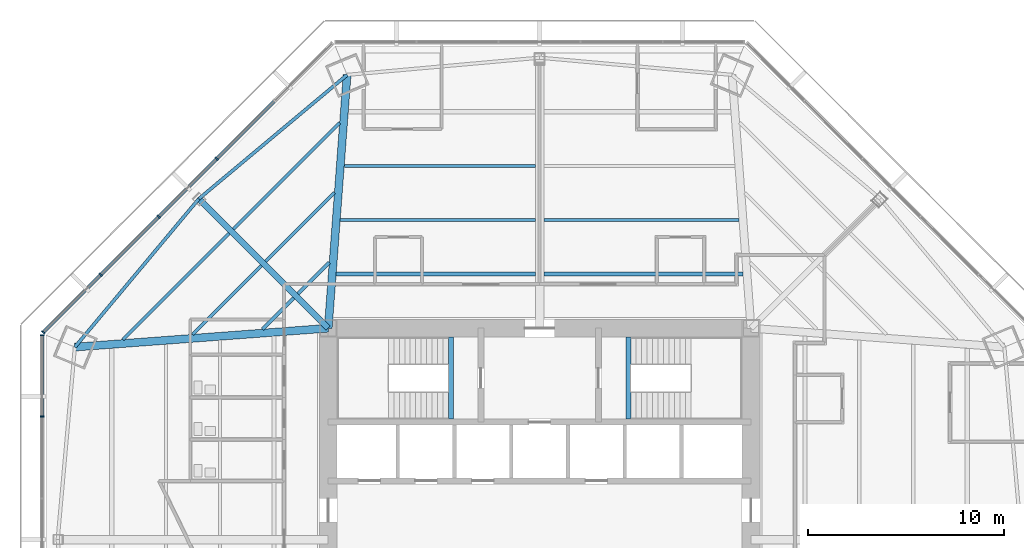
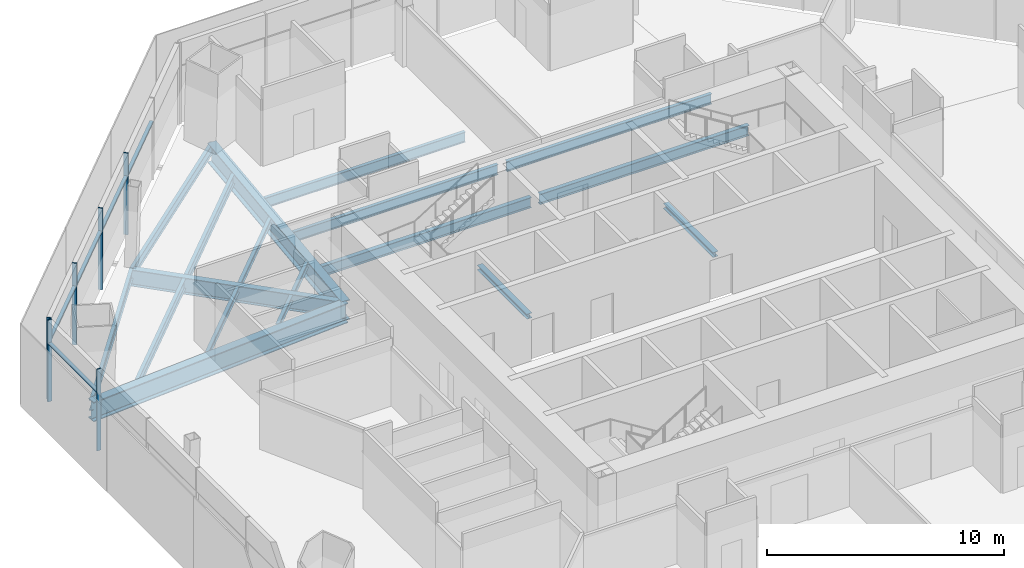
# One storey, part 5 of 17: 18 beams, 11 members, 2 elements without a shape of their own.
"""IFC4 building model written with IfcOpenShell, lengths in metres."""

import ifcopenshell
import ifcopenshell.guid

model = None  # the IFC model being written
_history = None  # IfcOwnerHistory: only IFC2X3 demands one
_inside = {}  # id of a spatial element -> (the spatial element, [elements in it])
_under = {}  # id of a project, library or spatial element -> (it, [spatial elements below it])
_declared = {}  # id of a project -> (the project, [libraries it declares])
_typed = {}  # id of a type object -> (the type object, [elements of that type])
_made_of = {}  # id of a material, layer set ... -> (it, [elements and type objects made of it])


def new_model(schema):
    """Start an empty IFC model of exactly this schema.

    Asked for "IFC4X3", IfcOpenShell would pick the latest addendum, in which some entities
    have other attributes; the version numbers below select the first issue.
    IFC2X3 requires an IfcOwnerHistory on every rooted entity: one is made here for all.
    """
    global model, _history
    if schema == "IFC4X3":
        model = ifcopenshell.file(schema_version=(4, 3, 0, 0))
    else:
        model = ifcopenshell.file(schema=schema)
    _inside.clear()
    _under.clear()
    _declared.clear()
    _typed.clear()
    _made_of.clear()
    _history = None
    if model.schema == "IFC2X3":
        org = make("IfcOrganization", Name="unknown")
        user = make(
            "IfcPersonAndOrganization",
            ThePerson=make("IfcPerson", FamilyName="unknown"),
            TheOrganization=org,
        )
        app = make(
            "IfcApplication",
            ApplicationDeveloper=org,
            Version="unknown",
            ApplicationFullName="unknown",
            ApplicationIdentifier="unknown",
        )
        _history = make(
            "IfcOwnerHistory",
            OwningUser=user,
            OwningApplication=app,
            ChangeAction="ADDED",
            CreationDate=0,
        )
    return model


def make(cls, **values):
    """One entity of the class cls with the attributes given. An attribute that is None is left unset."""
    return model.create_entity(
        cls, **{name: value for name, value in values.items() if value is not None}
    )


def rooted(cls, **values):
    """An entity with a GlobalId (a new one), such as an element, a storey or a relation."""
    return make(cls, GlobalId=ifcopenshell.guid.new(), OwnerHistory=_history, **values)


def si_unit(unit_type, name, prefix=None):
    """IfcSIUnit, for example si_unit("LENGTHUNIT", "METRE", prefix="MILLI")."""
    return make("IfcSIUnit", UnitType=unit_type, Prefix=prefix, Name=name)


def assignment(units):
    """IfcUnitAssignment: the units of a project."""
    return None if units is None else make("IfcUnitAssignment", Units=units)


def point(xyz):
    """IfcCartesianPoint."""
    return None if xyz is None else make("IfcCartesianPoint", Coordinates=xyz)


def direction(xyz):
    """IfcDirection."""
    return None if xyz is None else make("IfcDirection", DirectionRatios=xyz)


def frame(location, z_axis=None, x_axis=None):
    """IfcAxis2Placement3D, a coordinate frame: its origin and axes. An axis left out is left unset."""
    return make(
        "IfcAxis2Placement3D",
        Location=point(location),
        Axis=direction(z_axis),
        RefDirection=direction(x_axis),
    )


def frame_2d(location, x_axis=None):
    """IfcAxis2Placement2D, a coordinate frame in the plane: its origin and x axis."""
    return make(
        "IfcAxis2Placement2D", Location=point(location), RefDirection=direction(x_axis)
    )


def origin():
    """The frame at (0, 0, 0) with its axes left unset."""
    return frame((0.0, 0.0, 0.0))


def origin_2d():
    """The frame at (0, 0) in the plane with its x axis left unset."""
    return frame_2d((0.0, 0.0))


def place(relative_to, where):
    """IfcLocalPlacement: puts the frame where relative to a parent placement (None: the world)."""
    return make(
        "IfcLocalPlacement", PlacementRelTo=relative_to, RelativePlacement=where
    )


def context(
    kind, dimensions, precision=None, world=None, true_north=None, identifier=None
):
    """IfcGeometricRepresentationContext, for example the 3D "Model" context."""
    return make(
        "IfcGeometricRepresentationContext",
        ContextIdentifier=identifier,
        ContextType=kind,
        CoordinateSpaceDimension=dimensions,
        Precision=precision,
        WorldCoordinateSystem=world,
        TrueNorth=true_north,
    )


def subcontext(parent, identifier, kind, view, scale=None):
    """IfcGeometricRepresentationSubContext, for example "Body" below "Model"."""
    return make(
        "IfcGeometricRepresentationSubContext",
        ContextIdentifier=identifier,
        ContextType=kind,
        ParentContext=parent,
        TargetScale=scale,
        TargetView=view,
    )


def project(units=None, contexts=None):
    """IfcProject with its units and contexts."""
    return rooted(
        "IfcProject",
        Name="project",
        RepresentationContexts=contexts,
        UnitsInContext=assignment(units),
    )


def spatial(cls, under=None, at=None, **own):
    """A site, building, storey or space (cls), placed at a placement, below another one or the project."""
    s = rooted(cls, ObjectPlacement=at, **own)
    if under is not None:
        _under.setdefault(under.id(), (under, []))[1].append(s)
    return s


def profile(cls, at=None, kind="AREA", **sizes):
    """A parametric profile (cls). Its sizes go by their IFC names, for example OverallWidth=200.0."""
    return make(cls, ProfileType=kind, Position=at, **sizes)


def rectangle(**sizes):
    """IfcRectangleProfileDef."""
    return profile("IfcRectangleProfileDef", **sizes)


def i_section(**sizes):
    """IfcIShapeProfileDef."""
    return profile("IfcIShapeProfileDef", **sizes)


def extrude(swept, where, along, depth):
    """IfcExtrudedAreaSolid: the profile swept, set in the frame where, extruded along a direction by depth."""
    return make(
        "IfcExtrudedAreaSolid",
        SweptArea=swept,
        Position=where,
        ExtrudedDirection=direction(along),
        Depth=depth,
    )


def shape(context_of_items, identifier, shape_type, items):
    """IfcShapeRepresentation: the items that make up one representation, for example the "Body"."""
    return make(
        "IfcShapeRepresentation",
        ContextOfItems=context_of_items,
        RepresentationIdentifier=identifier,
        RepresentationType=shape_type,
        Items=items,
    )


def source(mapping_origin, context_of_items, identifier, shape_type, items):
    """IfcRepresentationMap: a shape defined once, which mapped items show again and again."""
    return make(
        "IfcRepresentationMap",
        MappingOrigin=mapping_origin,
        MappedRepresentation=shape(context_of_items, identifier, shape_type, items),
    )


def transform(
    local_origin,
    x_axis=None,
    y_axis=None,
    z_axis=None,
    scale=None,
    scale2=None,
    scale3=None,
    uniform=True,
):
    """IfcCartesianTransformationOperator3D, or its non-uniform kind. x_axis, y_axis, z_axis: its Axis1, 2, 3."""
    if uniform:
        return make(
            "IfcCartesianTransformationOperator3D",
            Axis1=direction(x_axis),
            Axis2=direction(y_axis),
            LocalOrigin=point(local_origin),
            Scale=scale,
            Axis3=direction(z_axis),
        )
    return make(
        "IfcCartesianTransformationOperator3DnonUniform",
        Axis1=direction(x_axis),
        Axis2=direction(y_axis),
        LocalOrigin=point(local_origin),
        Scale=scale,
        Axis3=direction(z_axis),
        Scale2=scale2,
        Scale3=scale3,
    )


def mapped(mapping_source, mapping_target):
    """IfcMappedItem: shows the shape of a source again, moved by a transform."""
    return make(
        "IfcMappedItem", MappingSource=mapping_source, MappingTarget=mapping_target
    )


def material(Name=None, Category=None):
    """IfcMaterial."""
    return make("IfcMaterial", Name=Name, Category=Category)


def material_profile(
    of_material, cross_section, Name=None, Category=None, Priority=None
):
    """IfcMaterialProfile: a cross section and its material."""
    return make(
        "IfcMaterialProfile",
        Name=Name,
        Material=of_material,
        Profile=cross_section,
        Priority=Priority,
        Category=Category,
    )


def profile_set(profiles, Name=None, composite=None):
    """IfcMaterialProfileSet."""
    return make(
        "IfcMaterialProfileSet",
        Name=Name,
        MaterialProfiles=profiles,
        CompositeProfile=composite,
    )


def made_of(thing, what):
    """Note that an element or type object is made of a material, layer set ...; save() writes the relation."""
    if what is not None:
        _made_of.setdefault(what.id(), (what, []))[1].append(thing)
    return thing


def type_object(cls, material=None, **own):
    """A type object (cls), such as IfcWallType, which elements share."""
    return made_of(rooted(cls, **own), material)


def type_shapes(of_type, sources):
    """Give a type object the sources (RepresentationMaps) that its elements show as mapped items."""
    of_type.RepresentationMaps = sources


def element(
    cls,
    number,
    at=None,
    inside=None,
    cuts=None,
    type_object=None,
    material=None,
    context=None,
    identifier="Body",
    shape_type=None,
    held_by="IfcProductDefinitionShape",
    body=None,
    shapes=None,
    **own,
):
    """One element of the class cls, such as IfcWall. Its Tag is "e" and its number.

    at: its placement. inside: the storey or other place that contains it. cuts: it is an
    opening in that element (IfcRelVoidsElement). A single representation is given by context,
    identifier, shape_type and body (its items); several are given by shapes. held_by: the class
    of the entity that holds the representations. save() writes the other relations.
    """
    e = rooted(cls, Tag="e%d" % number, ObjectPlacement=at, **own)
    if body is not None:
        shapes = [shape(context, identifier, shape_type, body)]
    if shapes is not None:
        e.Representation = make(held_by, Representations=shapes)
    if inside is not None:
        _inside.setdefault(inside.id(), (inside, []))[1].append(e)
    if cuts is not None:
        rooted(
            "IfcRelVoidsElement", RelatingBuildingElement=cuts, RelatedOpeningElement=e
        )
    if type_object is not None:
        _typed.setdefault(type_object.id(), (type_object, []))[1].append(e)
    return made_of(e, material)


def aggregate(whole, parts):
    """IfcRelAggregates: a whole, such as a stair, and the parts it consists of."""
    return rooted("IfcRelAggregates", RelatingObject=whole, RelatedObjects=parts)


def save(model, path):
    """Write the relations noted so far, then the file.

    IfcRelAggregates (storeys below a building ...), IfcRelContainedInSpatialStructure (elements
    in a storey), IfcRelDefinesByType, IfcRelAssociatesMaterial and IfcRelDeclares: one each for
    every whole, place, type object, material and project.
    """
    for whole, parts in _under.values():
        aggregate(whole, parts)
    for where, things in _inside.values():
        rooted(
            "IfcRelContainedInSpatialStructure",
            RelatedElements=things,
            RelatingStructure=where,
        )
    for kind, things in _typed.values():
        rooted("IfcRelDefinesByType", RelatedObjects=things, RelatingType=kind)
    for what, things in _made_of.values():
        rooted("IfcRelAssociatesMaterial", RelatedObjects=things, RelatingMaterial=what)
    for by, libraries in _declared.values():
        rooted("IfcRelDeclares", RelatingContext=by, RelatedDefinitions=libraries)
    model.write(path)


model = new_model("IFC4")

# Units and contexts
model_context = context("Model", 3, precision=1e-05, world=origin(), true_north=direction((0.0, 1.0)))
body_context = subcontext(model_context, "Body", "Model", "MODEL_VIEW")
ifc_project = project(units=[si_unit("LENGTHUNIT", "METRE"), si_unit("AREAUNIT", "SQUARE_METRE"), si_unit("VOLUMEUNIT", "CUBIC_METRE"), si_unit("PLANEANGLEUNIT", "RADIAN"), si_unit("MASSUNIT", "GRAM", prefix="KILO")], contexts=[model_context])

# Site, building, storey
site_placement = place(None, origin())
site = spatial("IfcSite", under=ifc_project, at=site_placement, CompositionType="ELEMENT")
building_placement = place(site_placement, origin())
building = spatial("IfcBuilding", under=site, at=building_placement, Name="Mashrafa Tower", CompositionType="ELEMENT")
storey_placement = place(building_placement, frame((0.0, 0.0, 91.800048828125)))
storey = spatial("IfcBuildingStorey", under=building, at=storey_placement, Name="L20", CompositionType="ELEMENT", Elevation=91.800048828125)

# Beams
ifc_material_1 = material(Name="Steel ASTM A992", Category="steel")
ifc_material_profile_1 = material_profile(ifc_material_1, i_section(OverallWidth=0.164794921875, OverallDepth=0.309814453125, WebThickness=0.005859375, FlangeThickness=0.009765625, FilletRadius=0.007568359375, at=origin_2d()), Name="W12X26")
ifc_profile_set_1 = profile_set([ifc_material_profile_1], Name="Steel ASTM A992")
beam_type_1 = type_object("IfcBeamType", Name="Beam W12X26", PredefinedType="BEAM", material=ifc_profile_set_1)
beam_1_placement = place(storey_placement, frame((-17.7255859375, 10.485107421875, -0.320068359375), z_axis=(0.707082237816, 0.707131323705, 0.0), x_axis=(-0.707131323705, 0.707082237816, 0.0)))
element("IfcBeam", 1, at=beam_1_placement, inside=storey, type_object=beam_type_1, Name="Floor beam L20 006", PredefinedType="BEAM", context=body_context, shape_type="SweptSolid", body=[
    extrude(i_section(OverallWidth=0.164794921875, OverallDepth=0.309814453125, WebThickness=0.005859375, FlangeThickness=0.009765625, FilletRadius=0.007568359375, at=origin_2d()), origin(), (0.0, 0.0, 1.0), 4.9736328125),
])
beam_2_placement = place(storey_placement, frame((-14.154296875, 10.751220703125, -0.320068359375), z_axis=(0.707160785599, 0.707052772649, 0.0), x_axis=(-0.707052772649, 0.707160785599, 0.0)))
element("IfcBeam", 2, at=beam_2_placement, inside=storey, type_object=beam_type_1, Name="Floor beam L20 011", PredefinedType="BEAM", context=body_context, shape_type="SweptSolid", body=[
    extrude(i_section(OverallWidth=0.164794921875, OverallDepth=0.309814453125, WebThickness=0.005859375, FlangeThickness=0.009765625, FilletRadius=0.007568359375, at=origin_2d()), origin(), (0.0, 0.0, 1.0), 2.26025390625),
])
beam_3_placement = place(storey_placement, frame((-14.002197265625, 14.208740234375, -0.320068359375), z_axis=(0.707131323705, 0.707082237816, 0.0), x_axis=(-0.707082237816, 0.707131323705, 0.0)))
element("IfcBeam", 3, at=beam_3_placement, inside=storey, type_object=beam_type_1, Name="Floor beam L20 013", PredefinedType="BEAM", context=body_context, shape_type="SweptSolid", body=[
    extrude(i_section(OverallWidth=0.164794921875, OverallDepth=0.309814453125, WebThickness=0.005859375, FlangeThickness=0.009765625, FilletRadius=0.007568359375, at=origin_2d()), origin(), (0.0, 0.0, 1.0), 4.9736328125),
])
beam_4_placement = place(storey_placement, frame((-12.349365234375, 12.555908203125, -0.320068359375), z_axis=(0.707052772649, 0.707160785599, 0.0), x_axis=(-0.707160785599, 0.707052772649, 0.0)))
element("IfcBeam", 4, at=beam_4_placement, inside=storey, type_object=beam_type_1, Name="Floor beam L20 017", PredefinedType="BEAM", context=body_context, shape_type="SweptSolid", body=[
    extrude(i_section(OverallWidth=0.164794921875, OverallDepth=0.309814453125, WebThickness=0.005859375, FlangeThickness=0.009765625, FilletRadius=0.007568359375, at=origin_2d()), origin(), (0.0, 0.0, 1.0), 2.26025390625),
])
ifc_material_2 = material(Name="Steel ASTM A992", Category="steel")
ifc_material_profile_2 = material_profile(ifc_material_2, i_section(OverallWidth=0.165771484375, OverallDepth=0.5283203125, WebThickness=0.009765625, FlangeThickness=0.013671875, FilletRadius=0.012939453125, at=origin_2d()), Name="W21X50")
ifc_profile_set_2 = profile_set([ifc_material_profile_2], Name="Steel ASTM A992")
beam_type_2 = type_object("IfcBeamType", Name="Beam W21X50", PredefinedType="BEAM", material=ifc_profile_set_2)
for number, where, z_axis, x_axis, name in (
    (5, (-21.29736328125, 10.21875, -0.42919921875), (0.707106781187, 0.707106781187, 0.0), (-0.707106781187, 0.707106781187, 0.0), "Floor beam L20 003"),
    (6, (-15.65478515625, 15.861328125, -0.42919921875), (0.707106781187, 0.707106781187, 0.0), (-0.707106781187, 0.707106781187, 0.0), "Floor beam L20 010"),
):
    element("IfcBeam", number, at=place(storey_placement, frame(where, z_axis=z_axis, x_axis=x_axis)), inside=storey, type_object=beam_type_2, Name=name, PredefinedType="BEAM", context=body_context, shape_type="SweptSolid", body=[
        extrude(i_section(OverallWidth=0.165771484375, OverallDepth=0.5283203125, WebThickness=0.009765625, FlangeThickness=0.013671875, FilletRadius=0.012939453125, at=origin_2d()), origin(), (0.0, 0.0, 1.0), 7.687744140625),
    ])
beam_5_placement = place(storey_placement, frame((-10.186767578125, 16.3291015625, -0.42919921875), z_axis=(1.0, 0.0, 0.0), x_axis=(0.0, 1.0, 0.0)))
element("IfcBeam", 7, at=beam_5_placement, inside=storey, type_object=beam_type_2, Name="Floor beam L20 020", PredefinedType="BEAM", context=body_context, shape_type="SweptSolid", body=[
    extrude(i_section(OverallWidth=0.165771484375, OverallDepth=0.5283203125, WebThickness=0.009765625, FlangeThickness=0.013671875, FilletRadius=0.012939453125, at=origin_2d()), origin(), (0.0, 0.0, 1.0), 9.974609375),
])
beam_6_placement = place(storey_placement, frame((-9.980712890625, 19.093505859375, -0.42919921875), z_axis=(1.0, 0.0, 0.0), x_axis=(0.0, 1.0, 0.0)))
element("IfcBeam", 8, at=beam_6_placement, inside=storey, type_object=beam_type_2, Name="Floor beam L20 022", PredefinedType="BEAM", context=body_context, shape_type="SweptSolid", body=[
    extrude(i_section(OverallWidth=0.165771484375, OverallDepth=0.5283203125, WebThickness=0.009765625, FlangeThickness=0.013671875, FilletRadius=0.012939453125, at=origin_2d()), origin(), (0.0, 0.0, 1.0), 9.7685546875),
])
beam_7_placement = place(storey_placement, frame((0.212158203125, 16.3291015625, -0.42919921875), z_axis=(1.0, 0.0, 0.0), x_axis=(0.0, 1.0, 0.0)))
element("IfcBeam", 9, at=beam_7_placement, inside=storey, type_object=beam_type_2, Name="Floor beam L20 030", PredefinedType="BEAM", context=body_context, shape_type="SweptSolid", body=[
    extrude(i_section(OverallWidth=0.165771484375, OverallDepth=0.5283203125, WebThickness=0.009765625, FlangeThickness=0.013671875, FilletRadius=0.012939453125, at=origin_2d()), origin(), (0.0, 0.0, 1.0), 9.974609375),
])
for number, where, z_axis, x_axis, name in (
    (10, (-17.41064453125, 17.41064453125, -0.42919921875), (-0.641431136102, -0.767180616047, 0.0), (0.767180616047, -0.641431136102, 0.0), "Spandrel beam L20 077"),
    (11, (-9.835205078125, 23.744384765625, -0.42919921875), (-0.767180616047, -0.641431136102, 0.0), (0.641431136102, -0.767180616047, 0.0), "Spandrel beam L20 079"),
):
    element("IfcBeam", number, at=place(storey_placement, frame(where, z_axis=z_axis, x_axis=x_axis)), inside=storey, type_object=beam_type_2, Name=name, PredefinedType="BEAM", context=body_context, shape_type="SweptSolid", body=[
        extrude(i_section(OverallWidth=0.165771484375, OverallDepth=0.5283203125, WebThickness=0.009765625, FlangeThickness=0.013671875, FilletRadius=0.012939453125, at=origin_2d()), origin(), (0.0, 0.0, 1.0), 9.874267578125),
    ])
ifc_material_3 = material(Name="Steel ASTM A992", Category="steel")
ifc_material_profile_3 = material_profile(ifc_material_3, i_section(OverallWidth=0.209228515625, OverallDepth=0.533447265625, WebThickness=0.01025390625, FlangeThickness=0.015625, FilletRadius=0.012939453125, at=origin_2d()), Name="W21X62")
ifc_profile_set_3 = profile_set([ifc_material_profile_3], Name="Steel ASTM A992")
beam_type_3 = type_object("IfcBeamType", Name="Beam W21X62", PredefinedType="BEAM", material=ifc_profile_set_3)
for number, where, z_axis, x_axis, name in (
    (12, (-10.392578125, 13.564453125, -0.431640625), (1.0, 0.0, 0.0), (0.0, 1.0, 0.0), "Floor beam L20 018"),
    (13, (0.212158203125, 13.564453125, -0.431640625), (1.0, 0.0, 0.0), (0.0, 1.0, 0.0), "Floor beam L20 029"),
):
    element("IfcBeam", number, at=place(storey_placement, frame(where, z_axis=z_axis, x_axis=x_axis)), inside=storey, type_object=beam_type_3, Name=name, PredefinedType="BEAM", context=body_context, shape_type="SweptSolid", body=[
        extrude(i_section(OverallWidth=0.209228515625, OverallDepth=0.533447265625, WebThickness=0.01025390625, FlangeThickness=0.015625, FilletRadius=0.012939453125, at=origin_2d()), origin(), (0.0, 0.0, 1.0), 10.180419921875),
    ])
ifc_material_4 = material(Name="Steel ASTM A992", Category="steel")
ifc_material_profile_4 = material_profile(ifc_material_4, i_section(OverallWidth=0.2919921875, OverallDepth=0.845703125, WebThickness=0.015380859375, FlangeThickness=0.0244140625, FilletRadius=0.017333984375, at=origin_2d()), Name="W33X141")
ifc_profile_set_4 = profile_set([ifc_material_profile_4], Name="Steel ASTM A992")
beam_type_4 = type_object("IfcBeamType", Name="Beam W33X141", PredefinedType="BEAM", material=ifc_profile_set_4)
beam_8_placement = place(storey_placement, frame((-10.800048828125, 10.800048828125, -0.587890625), z_axis=(-0.707106781187, 0.707106781187, 0.0), x_axis=(-0.707106781187, -0.707106781187, 0.0)))
element("IfcBeam", 14, at=beam_8_placement, inside=storey, type_object=beam_type_4, Name="Radial girder L20 062", PredefinedType="BEAM", context=body_context, shape_type="SweptSolid", body=[
    extrude(i_section(OverallWidth=0.2919921875, OverallDepth=0.845703125, WebThickness=0.015380859375, FlangeThickness=0.0244140625, FilletRadius=0.017333984375, at=origin_2d()), origin(), (0.0, 0.0, 1.0), 9.348876953125),
])
ifc_material_5 = material(Name="Steel ASTM A992", Category="steel")
ifc_material_profile_5 = material_profile(ifc_material_5, i_section(OverallWidth=0.4013671875, OverallDepth=1.010986328125, WebThickness=0.023681640625, FlangeThickness=0.0419921875, FilletRadius=0.02001953125, at=origin_2d()), Name="W40X297")
ifc_profile_set_5 = profile_set([ifc_material_profile_5], Name="Steel ASTM A992")
beam_type_5 = type_object("IfcBeamType", Name="Beam W40X297", PredefinedType="BEAM", material=ifc_profile_set_5)
for number, where, z_axis, x_axis, name in (
    (15, (-10.800048828125, 10.800048828125, -0.67041015625), (-0.997233572145, -0.074331706471, 0.0), (0.074331706471, -0.997233572145, 0.0), "Radial girder L20 061"),
    (16, (-10.800048828125, 10.800048828125, -0.67041015625), (0.074331706471, 0.997233572145, 0.0), (-0.997233572145, 0.074331706471, 0.0), "Radial girder L20 063"),
):
    element("IfcBeam", number, at=place(storey_placement, frame(where, z_axis=z_axis, x_axis=x_axis)), inside=storey, type_object=beam_type_5, Name=name, PredefinedType="BEAM", context=body_context, shape_type="SweptSolid", body=[
        extrude(i_section(OverallWidth=0.4013671875, OverallDepth=1.010986328125, WebThickness=0.023681640625, FlangeThickness=0.0419921875, FilletRadius=0.02001953125, at=origin_2d()), origin(), (0.0, 0.0, 1.0), 12.980224609375),
    ])
ifc_material_6 = material(Name="Steel ASTM A992", Category="steel")
ifc_material_profile_6 = material_profile(ifc_material_6, i_section(OverallWidth=0.25390625, OverallDepth=0.25390625, WebThickness=0.008544921875, FlangeThickness=0.01416015625, FilletRadius=0.010009765625, at=origin_2d()), Name="W10X49")
ifc_profile_set_6 = profile_set([ifc_material_profile_6], Name="Steel ASTM A992")
beam_type_6 = type_object("IfcBeamType", Name="Hoistway beam W10X49", PredefinedType="BEAM", material=ifc_profile_set_6)
for number, where, z_axis, x_axis, name in (
    (17, (-4.530029296875, 6.14990234375, -0.3271484375), (0.0, 1.0, 0.0), (-1.0, 0.0, 0.0), "Stair S1 landing beam L20"),
    (18, (4.530029296875, 6.14990234375, -0.3271484375), (0.0, 1.0, 0.0), (-1.0, 0.0, 0.0), "Stair S2 landing beam L20"),
):
    element("IfcBeam", number, at=place(storey_placement, frame(where, z_axis=z_axis, x_axis=x_axis)), inside=storey, type_object=beam_type_6, Name=name, PredefinedType="BEAM", context=body_context, shape_type="SweptSolid", body=[
        extrude(i_section(OverallWidth=0.25390625, OverallDepth=0.25390625, WebThickness=0.008544921875, FlangeThickness=0.01416015625, FilletRadius=0.010009765625, at=origin_2d()), origin(), (0.0, 0.0, 1.0), 4.2001953125),
    ])

# Curtain wall, members
ifc_material_7 = material(Name="Unitised aluminium curtain wall", Category="aluminium")
curtain_wall_type = type_object("IfcCurtainWallType", Name="Office curtain wall, zone 1 CW-A 200 deep", PredefinedType="NOTDEFINED", material=ifc_material_7)
curtain_wall_1_placement = place(storey_placement, origin())
curtain_wall_1 = element("IfcCurtainWall", 19, at=curtain_wall_1_placement, inside=storey, type_object=curtain_wall_type, Name="Office curtain wall, zone 1 L20 north-west", PredefinedType="NOTDEFINED")
ifc_material_8 = material(Name="Extruded aluminium mullion", Category="aluminium")
ifc_material_profile_7 = material_profile(ifc_material_8, rectangle(XDim=0.199951171875, YDim=0.06494140625, at=origin_2d()), Name="Mullion 65x200")
ifc_profile_set_7 = profile_set([ifc_material_profile_7], Name="Extruded aluminium mullion")
member_type_1 = type_object("IfcMemberType", Name="Mullion CW-A 65 x 200", PredefinedType="MULLION", material=ifc_profile_set_7)
shared_shape_1 = source(origin(), body_context, "Body", "SweptSolid", [
    extrude(rectangle(XDim=0.199951171875, YDim=0.06494140625, at=origin_2d()), origin(), (0.0, 0.0, 1.0), 4.199951171875),
])
type_shapes(member_type_1, [shared_shape_1])
member_1_placement = place(storey_placement, frame((-16.491455078125, 19.454833984375, 0.0), z_axis=(0.0, 0.0, 1.0), x_axis=(0.707106781187, -0.707106781187, 0.0)))
member_1 = element("IfcMember", 20, at=member_1_placement, type_object=member_type_1, Name="CW-A mullion 3", PredefinedType="MULLION", context=body_context, shape_type="MappedRepresentation", body=[
    mapped(shared_shape_1, transform((0.0, 0.0, 0.0))),
])
member_2_placement = place(storey_placement, frame((-19.454833984375, 16.491455078125, 0.0), z_axis=(0.0, 0.0, 1.0), x_axis=(0.707106781187, -0.707106781187, 0.0)))
member_2 = element("IfcMember", 21, at=member_2_placement, type_object=member_type_1, Name="CW-A mullion 4", PredefinedType="MULLION", context=body_context, shape_type="MappedRepresentation", body=[
    mapped(shared_shape_1, transform((0.0, 0.0, 0.0))),
])
member_3_placement = place(storey_placement, frame((-22.418212890625, 13.528076171875, 0.0), z_axis=(0.0, 0.0, 1.0), x_axis=(0.707106781187, -0.707106781187, 0.0)))
member_3 = element("IfcMember", 22, at=member_3_placement, type_object=member_type_1, Name="CW-A mullion 5", PredefinedType="MULLION", context=body_context, shape_type="MappedRepresentation", body=[
    mapped(shared_shape_1, transform((0.0, 0.0, 0.0))),
])
member_4_placement = place(storey_placement, frame((-25.3583984375, 10.587646484375, 0.0), z_axis=(0.0, 0.0, 1.0), x_axis=(0.707106781187, -0.707106781187, 0.0)))
member_4 = element("IfcMember", 23, at=member_4_placement, type_object=member_type_1, Name="CW-A mullion 6", PredefinedType="MULLION", context=body_context, shape_type="MappedRepresentation", body=[
    mapped(shared_shape_1, transform((0.0, 0.0, 0.0))),
])

curtain_wall_2_placement = place(storey_placement, origin())
curtain_wall_2 = element("IfcCurtainWall", 24, at=curtain_wall_2_placement, inside=storey, type_object=curtain_wall_type, Name="Office curtain wall, zone 1 L20 west", PredefinedType="NOTDEFINED")
member_5_placement = place(storey_placement, frame((-25.417724609375, 10.444580078125, 0.0), z_axis=(0.0, 0.0, 1.0), x_axis=(1.0, 0.0, 0.0)))
member_5 = element("IfcMember", 25, at=member_5_placement, type_object=member_type_1, Name="CW-A mullion 1", PredefinedType="MULLION", context=body_context, shape_type="MappedRepresentation", body=[
    mapped(shared_shape_1, transform((0.0, 0.0, 0.0))),
])
member_6_placement = place(storey_placement, frame((-25.417724609375, 6.2861328125, 0.0), z_axis=(0.0, 0.0, 1.0), x_axis=(1.0, 0.0, 0.0)))
member_6 = element("IfcMember", 26, at=member_6_placement, type_object=member_type_1, Name="CW-A mullion 2", PredefinedType="MULLION", context=body_context, shape_type="MappedRepresentation", body=[
    mapped(shared_shape_1, transform((0.0, 0.0, 0.0))),
])

# Member
ifc_material_9 = material(Name="Extruded aluminium transom", Category="aluminium")
ifc_material_profile_8 = material_profile(ifc_material_9, rectangle(XDim=0.159912109375, YDim=0.080078125, at=origin_2d()), Name="Transom 80x160")
ifc_profile_set_8 = profile_set([ifc_material_profile_8], Name="Extruded aluminium transom")
member_type_2 = type_object("IfcMemberType", Name="Transom CW-A 80 x 160", PredefinedType="MULLION", material=ifc_profile_set_8)
shared_shape_2 = source(origin(), body_context, "Body", "SweptSolid", [
    extrude(rectangle(XDim=0.159912109375, YDim=0.080078125, at=origin_2d()), origin(), (0.0, 0.0, 1.0), 4.09326171875),
])
member_7_placement = place(storey_placement, frame((-22.441162109375, 13.505126953125, 3.0), z_axis=(-0.707106781187, -0.707106781187, 0.0), x_axis=(0.707106781187, -0.707106781187, 0.0)))
member_7 = element("IfcMember", 27, at=member_7_placement, type_object=member_type_2, Name="CW-A transom 5", PredefinedType="MULLION", context=body_context, shape_type="MappedRepresentation", body=[
    mapped(shared_shape_2, transform((0.0, 0.0, 0.0))),
])

member_8_placement = place(storey_placement, frame((-25.417724609375, 10.411865234375, 3.0), z_axis=(0.0, -1.0, 0.0), x_axis=(1.0, 0.0, 0.0)))
member_8 = element("IfcMember", 28, at=member_8_placement, type_object=member_type_2, Name="CW-A transom 1", PredefinedType="MULLION", context=body_context, shape_type="MappedRepresentation", body=[
    mapped(shared_shape_2, transform((0.0, 0.0, 0.0))),
])

aggregate(curtain_wall_2, [member_5, member_6, member_8])

shared_shape_3 = source(origin(), body_context, "Body", "SweptSolid", [
    extrude(rectangle(XDim=0.159912109375, YDim=0.080078125, at=origin_2d()), origin(), (0.0, 0.0, 1.0), 4.1259765625),
])
type_shapes(member_type_2, [shared_shape_2, shared_shape_3])
member_9_placement = place(storey_placement, frame((-13.551025390625, 22.395263671875, 3.0), z_axis=(-0.707106781187, -0.707106781187, 0.0), x_axis=(0.707106781187, -0.707106781187, 0.0)))
member_9 = element("IfcMember", 29, at=member_9_placement, type_object=member_type_2, Name="CW-A transom 2", PredefinedType="MULLION", context=body_context, shape_type="MappedRepresentation", body=[
    mapped(shared_shape_3, transform((0.0, 0.0, 0.0))),
])

member_10_placement = place(storey_placement, frame((-16.514404296875, 19.431884765625, 3.0), z_axis=(-0.707106781187, -0.707106781187, 0.0), x_axis=(0.707106781187, -0.707106781187, 0.0)))
member_10 = element("IfcMember", 30, at=member_10_placement, type_object=member_type_2, Name="CW-A transom 3", PredefinedType="MULLION", context=body_context, shape_type="MappedRepresentation", body=[
    mapped(shared_shape_3, transform((0.0, 0.0, 0.0))),
])

member_11_placement = place(storey_placement, frame((-19.477783203125, 16.468505859375, 3.0), z_axis=(-0.707106781187, -0.707106781187, 0.0), x_axis=(0.707106781187, -0.707106781187, 0.0)))
member_11 = element("IfcMember", 31, at=member_11_placement, type_object=member_type_2, Name="CW-A transom 4", PredefinedType="MULLION", context=body_context, shape_type="MappedRepresentation", body=[
    mapped(shared_shape_3, transform((0.0, 0.0, 0.0))),
])

aggregate(curtain_wall_1, [member_1, member_2, member_3, member_4, member_9, member_10, member_11, member_7])

save(model, "model.ifc")
